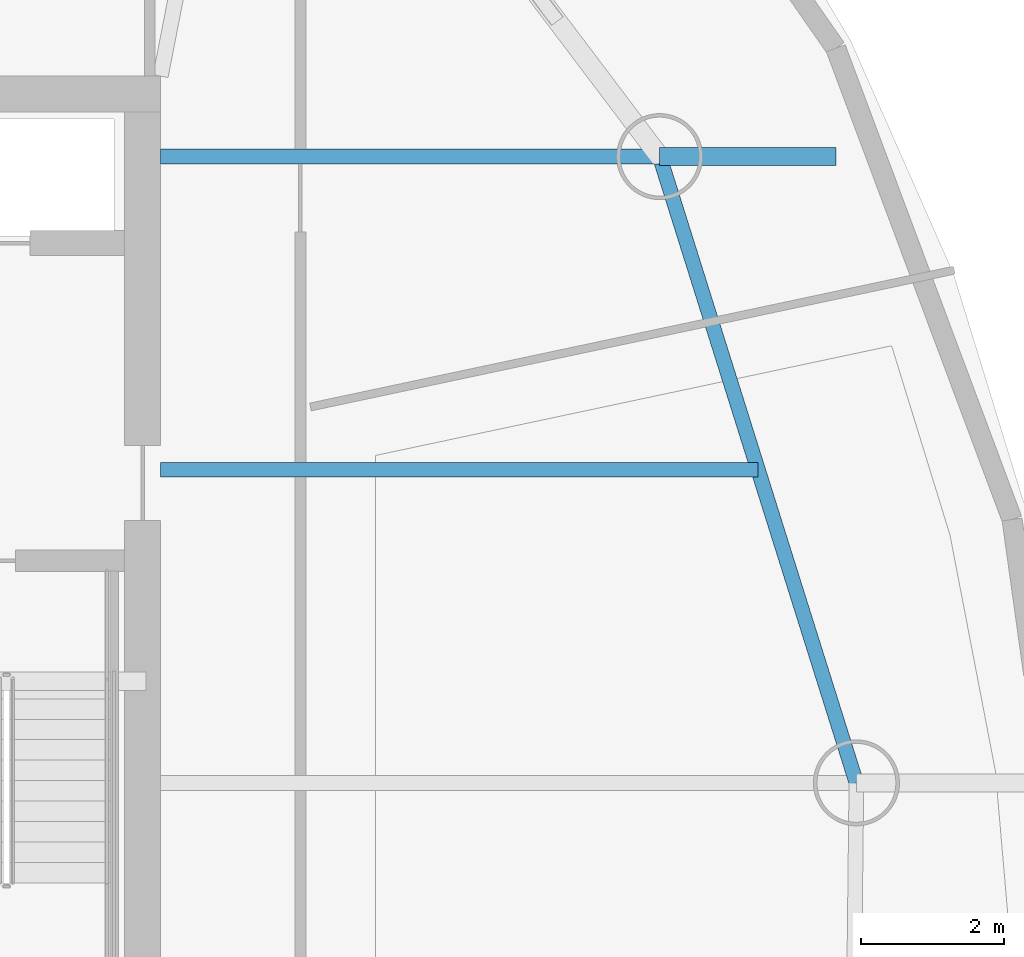
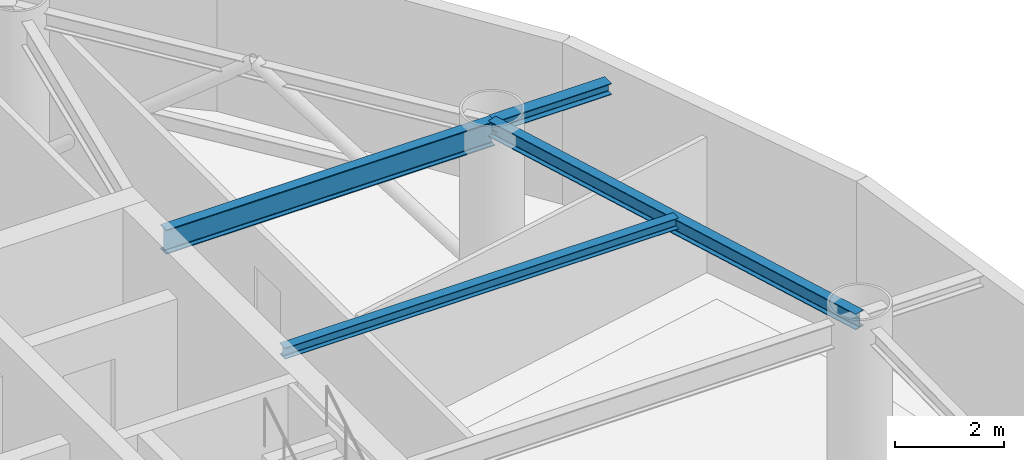
# One storey, part 10 of 22: 4 beams.
"""IFC4 building model written with IfcOpenShell, lengths in metres."""

from ifc_helpers import new_model, si_unit, direction, frame, origin, origin_2d, place, context, subcontext, project, spatial, i_section, extrude, material, material_profile, profile_set, type_object, element, save


model = new_model("IFC4")

# Units and contexts
model_context = context("Model", 3, precision=1e-05, world=origin(), true_north=direction((0.0, 1.0)))
body_context = subcontext(model_context, "Body", "Model", "MODEL_VIEW")
ifc_project = project(units=[si_unit("LENGTHUNIT", "METRE"), si_unit("AREAUNIT", "SQUARE_METRE"), si_unit("VOLUMEUNIT", "CUBIC_METRE"), si_unit("PLANEANGLEUNIT", "RADIAN"), si_unit("MASSUNIT", "GRAM", prefix="KILO")], contexts=[model_context])

# Site, building, storey
site_placement = place(None, origin())
site = spatial("IfcSite", under=ifc_project, at=site_placement, CompositionType="ELEMENT")
building_placement = place(site_placement, origin())
building = spatial("IfcBuilding", under=site, at=building_placement, Name="Bramvorn Convention Spire", CompositionType="ELEMENT")
storey_placement = place(building_placement, frame((0.0, 0.0, 221.25)))
storey = spatial("IfcBuildingStorey", under=building, at=storey_placement, Name="L56", CompositionType="ELEMENT", Elevation=221.25)

# Beams
ifc_material = material(Name="Steel CSA G40.21 Grade 350 (350W)", Category="steel")
ifc_material_profile_1 = material_profile(ifc_material, i_section(OverallWidth=0.201904296875, OverallDepth=0.2470703125, WebThickness=0.00732421875, FlangeThickness=0.010986328125, FilletRadius=0.011962890625, at=origin_2d()))
ifc_profile_set_1 = profile_set([ifc_material_profile_1], Name="Steel CSA G40.21 Grade 350 (350W) - W250X49")
beam_type_1 = type_object("IfcBeamType", Name="BM-W250X49", PredefinedType="JOIST", material=ifc_profile_set_1)
beam_1_placement = place(storey_placement, frame((49.25, 27.960205078125, 3.49658203125), z_axis=(1.0, 0.0, 0.0), x_axis=(0.0, 1.0, 0.0)))
element("IfcBeam", 1, at=beam_1_placement, inside=storey, type_object=beam_type_1, Name="L56 composite floor joist 03", PredefinedType="JOIST", context=body_context, shape_type="SweptSolid", body=[
    extrude(i_section(OverallWidth=0.201904296875, OverallDepth=0.2470703125, WebThickness=0.00732421875, FlangeThickness=0.010986328125, FilletRadius=0.011962890625, at=origin_2d()), origin(), (0.0, 0.0, 1.0), 8.33251953125),
])
ifc_material_profile_2 = material_profile(ifc_material, i_section(OverallWidth=0.25390625, OverallDepth=0.2529296875, WebThickness=0.008544921875, FlangeThickness=0.01416015625, FilletRadius=0.011962890625, at=origin_2d()))
ifc_profile_set_2 = profile_set([ifc_material_profile_2], Name="Steel CSA G40.21 Grade 350 (350W) - W250X73")
beam_type_2 = type_object("IfcBeamType", Name="BM-W250X73", PredefinedType="BEAM", material=ifc_profile_set_2)
beam_2_placement = place(storey_placement, frame((56.21044921875, 32.327392578125, 3.493408203125), z_axis=(1.0, 0.0, 0.0), x_axis=(0.0, 1.0, 0.0)))
element("IfcBeam", 2, at=beam_2_placement, inside=storey, type_object=beam_type_2, Name="L56 slab-edge cantilever tip beam MC04", PredefinedType="BEAM", context=body_context, shape_type="SweptSolid", body=[
    extrude(i_section(OverallWidth=0.25390625, OverallDepth=0.2529296875, WebThickness=0.008544921875, FlangeThickness=0.01416015625, FilletRadius=0.011962890625, at=origin_2d()), origin(), (0.0, 0.0, 1.0), 2.460693359375),
])
ifc_material_profile_3 = material_profile(ifc_material, i_section(OverallWidth=0.205078125, OverallDepth=0.35400390625, WebThickness=0.009521484375, FlangeThickness=0.016845703125, FilletRadius=0.014892578125, at=origin_2d()))
ifc_profile_set_3 = profile_set([ifc_material_profile_3], Name="Steel CSA G40.21 Grade 350 (350W) - W360X79")
beam_type_3 = type_object("IfcBeamType", Name="BM-W360X79", PredefinedType="JOIST", material=ifc_profile_set_3)
beam_3_placement = place(storey_placement, frame((58.95458984375, 23.593505859375, 3.443115234375), z_axis=(-0.299747542929, 0.954018558786, 0.0), x_axis=(-0.954018558786, -0.299747542929, 0.0)))
element("IfcBeam", 3, at=beam_3_placement, inside=storey, type_object=beam_type_3, Name="L56 mega-column ring beam 03", PredefinedType="JOIST", context=body_context, shape_type="SweptSolid", body=[
    extrude(i_section(OverallWidth=0.205078125, OverallDepth=0.35400390625, WebThickness=0.009521484375, FlangeThickness=0.016845703125, FilletRadius=0.014892578125, at=origin_2d()), origin(), (0.0, 0.0, 1.0), 9.15478515625),
])
ifc_material_profile_4 = material_profile(ifc_material, i_section(OverallWidth=0.2119140625, OverallDepth=0.5439453125, WebThickness=0.01318359375, FlangeThickness=0.021240234375, FilletRadius=0.01904296875, at=origin_2d()))
ifc_profile_set_4 = profile_set([ifc_material_profile_4], Name="Steel CSA G40.21 Grade 350 (350W) - W530X123")
beam_type_4 = type_object("IfcBeamType", Name="BM-W530X123", PredefinedType="BEAM", material=ifc_profile_set_4)
beam_4_placement = place(storey_placement, frame((49.25, 32.327392578125, 3.347900390625), z_axis=(1.0, 0.0, 0.0), x_axis=(0.0, 1.0, 0.0)))
element("IfcBeam", 4, at=beam_4_placement, inside=storey, type_object=beam_type_4, Name="L56 radial floor girder MC04", PredefinedType="BEAM", context=body_context, shape_type="SweptSolid", body=[
    extrude(i_section(OverallWidth=0.2119140625, OverallDepth=0.5439453125, WebThickness=0.01318359375, FlangeThickness=0.021240234375, FilletRadius=0.01904296875, at=origin_2d()), origin(), (0.0, 0.0, 1.0), 6.96044921875),
])

save(model, "model.ifc")
